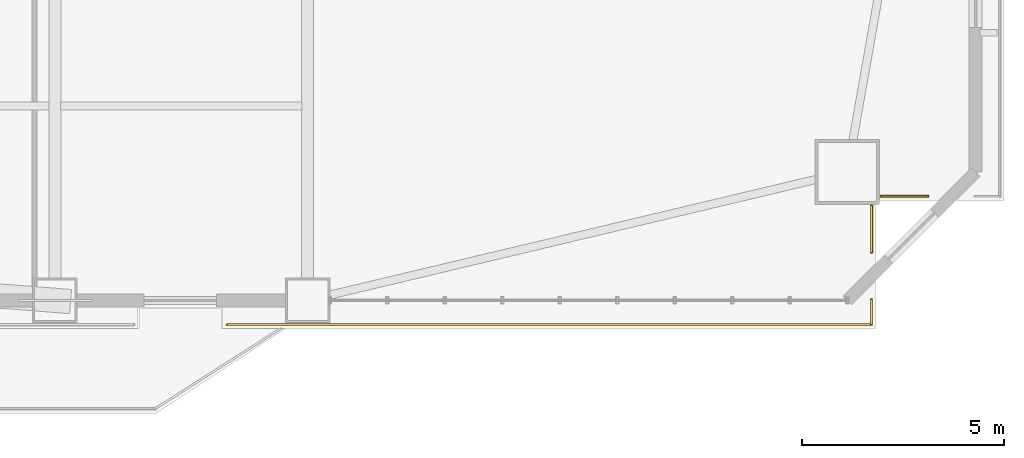
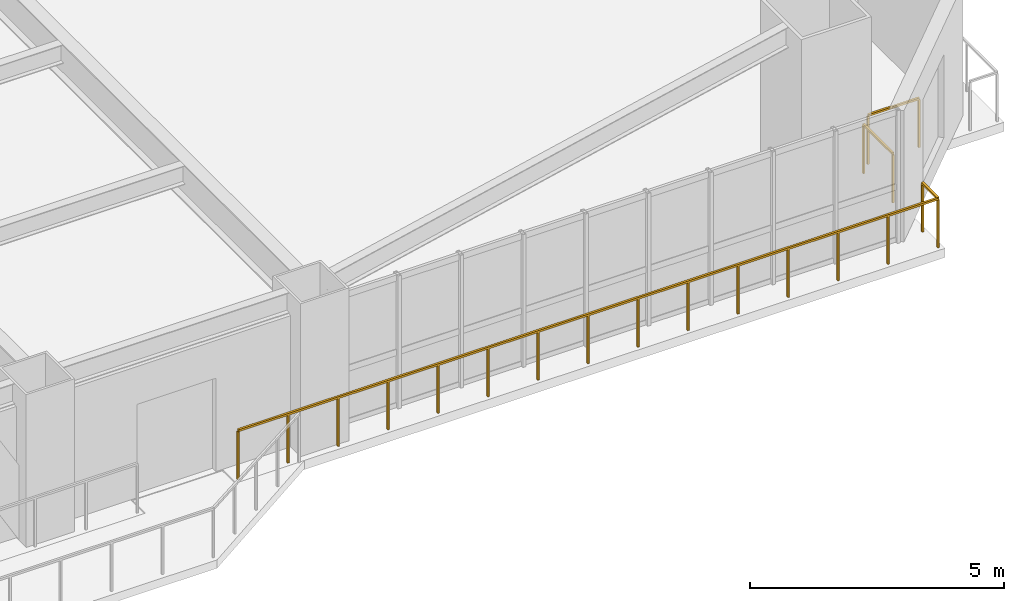
# One storey, part 14 of 17: 4 railings.
"""IFC4 building model written with IfcOpenShell, lengths in metres."""

from ifc_helpers import new_model, si_unit, direction, frame, origin, origin_2d, place, context, subcontext, project, spatial, rectangle, extrude, material, type_object, element, save


model = new_model("IFC4")

# Units and contexts
model_context = context("Model", 3, precision=1e-05, world=origin(), true_north=direction((0.0, 1.0)))
body_context = subcontext(model_context, "Body", "Model", "MODEL_VIEW")
ifc_project = project(units=[si_unit("LENGTHUNIT", "METRE"), si_unit("AREAUNIT", "SQUARE_METRE"), si_unit("VOLUMEUNIT", "CUBIC_METRE"), si_unit("PLANEANGLEUNIT", "RADIAN"), si_unit("MASSUNIT", "GRAM", prefix="KILO")], contexts=[model_context])

# Site, building, storey
site_placement = place(None, origin())
site = spatial("IfcSite", under=ifc_project, at=site_placement, CompositionType="ELEMENT")
building_placement = place(site_placement, origin())
building = spatial("IfcBuilding", under=site, at=building_placement, Name="Giltprow Tower", CompositionType="ELEMENT")
storey_placement = place(building_placement, frame((0.0, 0.0, 37.10009765625)))
storey = spatial("IfcBuildingStorey", under=building, at=storey_placement, Name="L09", CompositionType="ELEMENT", Elevation=37.10009765625)

# Railings
ifc_material = material(Name="Anodized bronze", Category="metal")
railing_type = type_object("IfcRailingType", Name="RAIL-BALC-GUARD-1200", PredefinedType="BALUSTRADE", material=ifc_material)
railing_1_placement = place(storey_placement, frame((65.884033203125, 6.39990234375, 0.0)))
element("IfcRailing", 1, at=railing_1_placement, inside=storey, type_object=railing_type, Name="L09 Corner Apron Edge Balustrade 16", PredefinedType="BALUSTRADE", context=body_context, shape_type="SweptSolid", body=[
    extrude(rectangle(XDim=0.048095703125, YDim=0.048095703125, at=origin_2d()), frame((0.0, 0.0, 1.17578125), z_axis=(-1.0, 0.0, 0.0), x_axis=(0.0, -1.0, 0.0)), (0.0, 0.0, 1.0), 1.157958984375),
    extrude(rectangle(XDim=0.0419921875, YDim=0.0419921875, at=origin_2d()), origin(), (0.0, 0.0, 1.0), 1.15185546875),
    extrude(rectangle(XDim=0.0419921875, YDim=0.0419921875, at=origin_2d()), frame((-1.157958984375, 0.0, 0.0)), (0.0, 0.0, 1.0), 1.15185546875),
])
railing_2_placement = place(storey_placement, frame((64.490966796875, 6.166015625, 0.0)))
element("IfcRailing", 2, at=railing_2_placement, inside=storey, type_object=railing_type, Name="L09 Corner Apron Edge Balustrade 17", PredefinedType="BALUSTRADE", context=body_context, shape_type="SweptSolid", body=[
    extrude(rectangle(XDim=0.048095703125, YDim=0.048095703125, at=origin_2d()), frame((0.0, 0.0, 1.17578125), z_axis=(0.0, -1.0, 0.0), x_axis=(1.0, 0.0, 0.0)), (0.0, 0.0, 1.0), 1.158935546875),
    extrude(rectangle(XDim=0.0419921875, YDim=0.0419921875, at=origin_2d()), origin(), (0.0, 0.0, 1.0), 1.15185546875),
    extrude(rectangle(XDim=0.0419921875, YDim=0.0419921875, at=origin_2d()), frame((0.0, -1.158935546875, 0.0)), (0.0, 0.0, 1.0), 1.15185546875),
])
railing_3_placement = place(storey_placement, frame((64.490966796875, 3.846923828125, 0.0)))
element("IfcRailing", 3, at=railing_3_placement, inside=storey, type_object=railing_type, Name="L09 Corner Apron Edge Balustrade 18", PredefinedType="BALUSTRADE", context=body_context, shape_type="SweptSolid", body=[
    extrude(rectangle(XDim=0.048095703125, YDim=0.048095703125, at=origin_2d()), frame((0.0, 0.0, 1.17578125), z_axis=(0.0, -1.0, 0.0), x_axis=(1.0, 0.0, 0.0)), (0.0, 0.0, 1.0), 0.619873046875),
    extrude(rectangle(XDim=0.0419921875, YDim=0.0419921875, at=origin_2d()), origin(), (0.0, 0.0, 1.0), 1.15185546875),
    extrude(rectangle(XDim=0.0419921875, YDim=0.0419921875, at=origin_2d()), frame((0.0, -0.619873046875, 0.0)), (0.0, 0.0, 1.0), 1.15185546875),
])
railing_4_placement = place(storey_placement, frame((64.490966796875, 3.22705078125, 0.0)))
element("IfcRailing", 4, at=railing_4_placement, inside=storey, type_object=railing_type, Name="L09 Corner Apron Edge Balustrade 19", PredefinedType="BALUSTRADE", context=body_context, shape_type="SweptSolid", body=[
    extrude(rectangle(XDim=0.048095703125, YDim=0.048095703125, at=origin_2d()), frame((0.0, 0.0, 1.17578125), z_axis=(-1.0, 0.0, 0.0), x_axis=(0.0, -1.0, 0.0)), (0.0, 0.0, 1.0), 15.94091796875),
    extrude(rectangle(XDim=0.0419921875, YDim=0.0419921875, at=origin_2d()), origin(), (0.0, 0.0, 1.0), 1.15185546875),
    extrude(rectangle(XDim=0.0419921875, YDim=0.0419921875, at=origin_2d()), frame((-1.138671875, 0.0, 0.0)), (0.0, 0.0, 1.0), 1.15185546875),
    extrude(rectangle(XDim=0.0419921875, YDim=0.0419921875, at=origin_2d()), frame((-2.27734375, 0.0, 0.0)), (0.0, 0.0, 1.0), 1.15185546875),
    extrude(rectangle(XDim=0.0419921875, YDim=0.0419921875, at=origin_2d()), frame((-3.416015625, 0.0, 0.0)), (0.0, 0.0, 1.0), 1.15185546875),
    extrude(rectangle(XDim=0.0419921875, YDim=0.0419921875, at=origin_2d()), frame((-4.554443359375, 0.0, 0.0)), (0.0, 0.0, 1.0), 1.15185546875),
    extrude(rectangle(XDim=0.0419921875, YDim=0.0419921875, at=origin_2d()), frame((-5.693115234375, 0.0, 0.0)), (0.0, 0.0, 1.0), 1.15185546875),
    extrude(rectangle(XDim=0.0419921875, YDim=0.0419921875, at=origin_2d()), frame((-6.831787109375, 0.0, 0.0)), (0.0, 0.0, 1.0), 1.15185546875),
    extrude(rectangle(XDim=0.0419921875, YDim=0.0419921875, at=origin_2d()), frame((-7.970458984375, 0.0, 0.0)), (0.0, 0.0, 1.0), 1.15185546875),
    extrude(rectangle(XDim=0.0419921875, YDim=0.0419921875, at=origin_2d()), frame((-9.109130859375, 0.0, 0.0)), (0.0, 0.0, 1.0), 1.15185546875),
    extrude(rectangle(XDim=0.0419921875, YDim=0.0419921875, at=origin_2d()), frame((-10.247802734375, 0.0, 0.0)), (0.0, 0.0, 1.0), 1.15185546875),
    extrude(rectangle(XDim=0.0419921875, YDim=0.0419921875, at=origin_2d()), frame((-11.386474609375, 0.0, 0.0)), (0.0, 0.0, 1.0), 1.15185546875),
    extrude(rectangle(XDim=0.0419921875, YDim=0.0419921875, at=origin_2d()), frame((-12.52490234375, 0.0, 0.0)), (0.0, 0.0, 1.0), 1.15185546875),
    extrude(rectangle(XDim=0.0419921875, YDim=0.0419921875, at=origin_2d()), frame((-13.66357421875, 0.0, 0.0)), (0.0, 0.0, 1.0), 1.15185546875),
    extrude(rectangle(XDim=0.0419921875, YDim=0.0419921875, at=origin_2d()), frame((-14.80224609375, 0.0, 0.0)), (0.0, 0.0, 1.0), 1.15185546875),
    extrude(rectangle(XDim=0.0419921875, YDim=0.0419921875, at=origin_2d()), frame((-15.94091796875, 0.0, 0.0)), (0.0, 0.0, 1.0), 1.15185546875),
])

save(model, "model.ifc")
